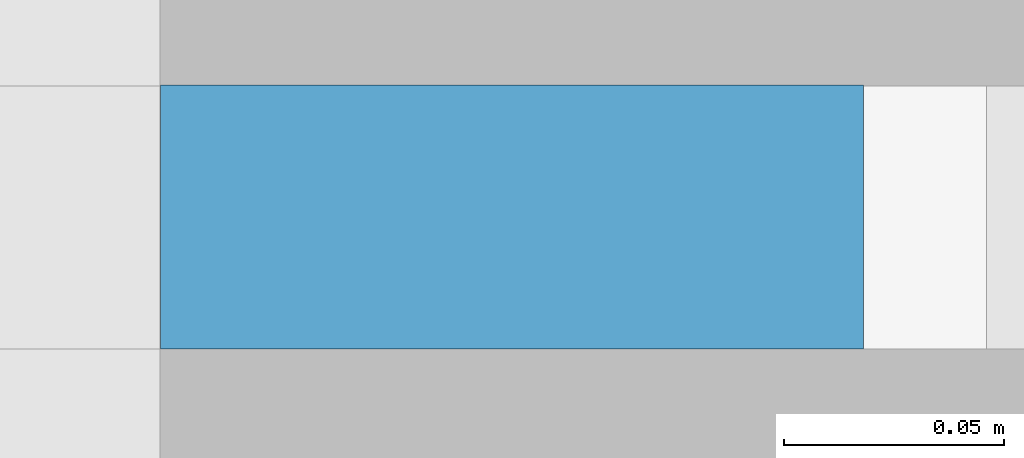
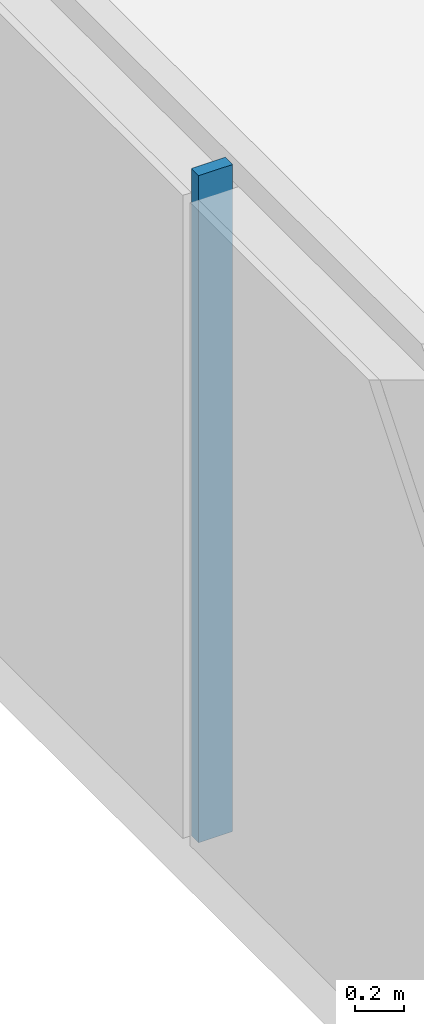
# One storey, part 4 of 31: 1 member, 1 element without a shape of its own.
"""IFC4 building model written with IfcOpenShell, lengths in metres."""

import ifcopenshell
import ifcopenshell.guid

model = None  # the IFC model being written
_history = None  # IfcOwnerHistory: only IFC2X3 demands one
_inside = {}  # id of a spatial element -> (the spatial element, [elements in it])
_under = {}  # id of a project, library or spatial element -> (it, [spatial elements below it])
_declared = {}  # id of a project -> (the project, [libraries it declares])
_typed = {}  # id of a type object -> (the type object, [elements of that type])
_made_of = {}  # id of a material, layer set ... -> (it, [elements and type objects made of it])


def new_model(schema):
    """Start an empty IFC model of exactly this schema.

    Asked for "IFC4X3", IfcOpenShell would pick the latest addendum, in which some entities
    have other attributes; the version numbers below select the first issue.
    IFC2X3 requires an IfcOwnerHistory on every rooted entity: one is made here for all.
    """
    global model, _history
    if schema == "IFC4X3":
        model = ifcopenshell.file(schema_version=(4, 3, 0, 0))
    else:
        model = ifcopenshell.file(schema=schema)
    _inside.clear()
    _under.clear()
    _declared.clear()
    _typed.clear()
    _made_of.clear()
    _history = None
    if model.schema == "IFC2X3":
        org = make("IfcOrganization", Name="unknown")
        user = make(
            "IfcPersonAndOrganization",
            ThePerson=make("IfcPerson", FamilyName="unknown"),
            TheOrganization=org,
        )
        app = make(
            "IfcApplication",
            ApplicationDeveloper=org,
            Version="unknown",
            ApplicationFullName="unknown",
            ApplicationIdentifier="unknown",
        )
        _history = make(
            "IfcOwnerHistory",
            OwningUser=user,
            OwningApplication=app,
            ChangeAction="ADDED",
            CreationDate=0,
        )
    return model


def make(cls, **values):
    """One entity of the class cls with the attributes given. An attribute that is None is left unset."""
    return model.create_entity(
        cls, **{name: value for name, value in values.items() if value is not None}
    )


def rooted(cls, **values):
    """An entity with a GlobalId (a new one), such as an element, a storey or a relation."""
    return make(cls, GlobalId=ifcopenshell.guid.new(), OwnerHistory=_history, **values)


def si_unit(unit_type, name, prefix=None):
    """IfcSIUnit, for example si_unit("LENGTHUNIT", "METRE", prefix="MILLI")."""
    return make("IfcSIUnit", UnitType=unit_type, Prefix=prefix, Name=name)


def assignment(units):
    """IfcUnitAssignment: the units of a project."""
    return None if units is None else make("IfcUnitAssignment", Units=units)


def point(xyz):
    """IfcCartesianPoint."""
    return None if xyz is None else make("IfcCartesianPoint", Coordinates=xyz)


def direction(xyz):
    """IfcDirection."""
    return None if xyz is None else make("IfcDirection", DirectionRatios=xyz)


def frame(location, z_axis=None, x_axis=None):
    """IfcAxis2Placement3D, a coordinate frame: its origin and axes. An axis left out is left unset."""
    return make(
        "IfcAxis2Placement3D",
        Location=point(location),
        Axis=direction(z_axis),
        RefDirection=direction(x_axis),
    )


def frame_2d(location, x_axis=None):
    """IfcAxis2Placement2D, a coordinate frame in the plane: its origin and x axis."""
    return make(
        "IfcAxis2Placement2D", Location=point(location), RefDirection=direction(x_axis)
    )


def origin():
    """The frame at (0, 0, 0) with its axes left unset."""
    return frame((0.0, 0.0, 0.0))


def origin_2d():
    """The frame at (0, 0) in the plane with its x axis left unset."""
    return frame_2d((0.0, 0.0))


def place(relative_to, where):
    """IfcLocalPlacement: puts the frame where relative to a parent placement (None: the world)."""
    return make(
        "IfcLocalPlacement", PlacementRelTo=relative_to, RelativePlacement=where
    )


def context(
    kind, dimensions, precision=None, world=None, true_north=None, identifier=None
):
    """IfcGeometricRepresentationContext, for example the 3D "Model" context."""
    return make(
        "IfcGeometricRepresentationContext",
        ContextIdentifier=identifier,
        ContextType=kind,
        CoordinateSpaceDimension=dimensions,
        Precision=precision,
        WorldCoordinateSystem=world,
        TrueNorth=true_north,
    )


def subcontext(parent, identifier, kind, view, scale=None):
    """IfcGeometricRepresentationSubContext, for example "Body" below "Model"."""
    return make(
        "IfcGeometricRepresentationSubContext",
        ContextIdentifier=identifier,
        ContextType=kind,
        ParentContext=parent,
        TargetScale=scale,
        TargetView=view,
    )


def project(units=None, contexts=None):
    """IfcProject with its units and contexts."""
    return rooted(
        "IfcProject",
        Name="project",
        RepresentationContexts=contexts,
        UnitsInContext=assignment(units),
    )


def spatial(cls, under=None, at=None, **own):
    """A site, building, storey or space (cls), placed at a placement, below another one or the project."""
    s = rooted(cls, ObjectPlacement=at, **own)
    if under is not None:
        _under.setdefault(under.id(), (under, []))[1].append(s)
    return s


def profile(cls, at=None, kind="AREA", **sizes):
    """A parametric profile (cls). Its sizes go by their IFC names, for example OverallWidth=200.0."""
    return make(cls, ProfileType=kind, Position=at, **sizes)


def rectangle(**sizes):
    """IfcRectangleProfileDef."""
    return profile("IfcRectangleProfileDef", **sizes)


def extrude(swept, where, along, depth):
    """IfcExtrudedAreaSolid: the profile swept, set in the frame where, extruded along a direction by depth."""
    return make(
        "IfcExtrudedAreaSolid",
        SweptArea=swept,
        Position=where,
        ExtrudedDirection=direction(along),
        Depth=depth,
    )


def shape(context_of_items, identifier, shape_type, items):
    """IfcShapeRepresentation: the items that make up one representation, for example the "Body"."""
    return make(
        "IfcShapeRepresentation",
        ContextOfItems=context_of_items,
        RepresentationIdentifier=identifier,
        RepresentationType=shape_type,
        Items=items,
    )


def material(Name=None, Category=None):
    """IfcMaterial."""
    return make("IfcMaterial", Name=Name, Category=Category)


def material_profile(
    of_material, cross_section, Name=None, Category=None, Priority=None
):
    """IfcMaterialProfile: a cross section and its material."""
    return make(
        "IfcMaterialProfile",
        Name=Name,
        Material=of_material,
        Profile=cross_section,
        Priority=Priority,
        Category=Category,
    )


def profile_set(profiles, Name=None, composite=None):
    """IfcMaterialProfileSet."""
    return make(
        "IfcMaterialProfileSet",
        Name=Name,
        MaterialProfiles=profiles,
        CompositeProfile=composite,
    )


def made_of(thing, what):
    """Note that an element or type object is made of a material, layer set ...; save() writes the relation."""
    if what is not None:
        _made_of.setdefault(what.id(), (what, []))[1].append(thing)
    return thing


def type_object(cls, material=None, **own):
    """A type object (cls), such as IfcWallType, which elements share."""
    return made_of(rooted(cls, **own), material)


def element(
    cls,
    number,
    at=None,
    inside=None,
    cuts=None,
    type_object=None,
    material=None,
    context=None,
    identifier="Body",
    shape_type=None,
    held_by="IfcProductDefinitionShape",
    body=None,
    shapes=None,
    **own,
):
    """One element of the class cls, such as IfcWall. Its Tag is "e" and its number.

    at: its placement. inside: the storey or other place that contains it. cuts: it is an
    opening in that element (IfcRelVoidsElement). A single representation is given by context,
    identifier, shape_type and body (its items); several are given by shapes. held_by: the class
    of the entity that holds the representations. save() writes the other relations.
    """
    e = rooted(cls, Tag="e%d" % number, ObjectPlacement=at, **own)
    if body is not None:
        shapes = [shape(context, identifier, shape_type, body)]
    if shapes is not None:
        e.Representation = make(held_by, Representations=shapes)
    if inside is not None:
        _inside.setdefault(inside.id(), (inside, []))[1].append(e)
    if cuts is not None:
        rooted(
            "IfcRelVoidsElement", RelatingBuildingElement=cuts, RelatedOpeningElement=e
        )
    if type_object is not None:
        _typed.setdefault(type_object.id(), (type_object, []))[1].append(e)
    return made_of(e, material)


def aggregate(whole, parts):
    """IfcRelAggregates: a whole, such as a stair, and the parts it consists of."""
    return rooted("IfcRelAggregates", RelatingObject=whole, RelatedObjects=parts)


def save(model, path):
    """Write the relations noted so far, then the file.

    IfcRelAggregates (storeys below a building ...), IfcRelContainedInSpatialStructure (elements
    in a storey), IfcRelDefinesByType, IfcRelAssociatesMaterial and IfcRelDeclares: one each for
    every whole, place, type object, material and project.
    """
    for whole, parts in _under.values():
        aggregate(whole, parts)
    for where, things in _inside.values():
        rooted(
            "IfcRelContainedInSpatialStructure",
            RelatedElements=things,
            RelatingStructure=where,
        )
    for kind, things in _typed.values():
        rooted("IfcRelDefinesByType", RelatedObjects=things, RelatingType=kind)
    for what, things in _made_of.values():
        rooted("IfcRelAssociatesMaterial", RelatedObjects=things, RelatingMaterial=what)
    for by, libraries in _declared.values():
        rooted("IfcRelDeclares", RelatingContext=by, RelatedDefinitions=libraries)
    model.write(path)


model = new_model("IFC4")

# Units and contexts
model_context = context("Model", 3, precision=1e-05, world=origin(), true_north=direction((0.0, 1.0)))
body_context = subcontext(model_context, "Body", "Model", "MODEL_VIEW")
ifc_project = project(units=[si_unit("LENGTHUNIT", "METRE"), si_unit("AREAUNIT", "SQUARE_METRE"), si_unit("VOLUMEUNIT", "CUBIC_METRE"), si_unit("PLANEANGLEUNIT", "RADIAN"), si_unit("MASSUNIT", "GRAM", prefix="KILO")], contexts=[model_context])

# Site, building, storey
site_placement = place(None, origin())
site = spatial("IfcSite", under=ifc_project, at=site_placement, CompositionType="ELEMENT")
building_placement = place(site_placement, origin())
building = spatial("IfcBuilding", under=site, at=building_placement, Name="Saffron Gate Tower", CompositionType="ELEMENT")
storey_placement = place(building_placement, frame((0.0, 0.0, 205.5)))
storey = spatial("IfcBuildingStorey", under=building, at=storey_placement, Name="L49", CompositionType="ELEMENT", Elevation=205.5)

# Curtain wall, member
ifc_material = material(Name="Aluminium, bronze anodised", Category="aluminium")
curtain_wall_type = type_object("IfcCurtainWallType", Name="CWS2 curtain wall side facades", PredefinedType="NOTDEFINED", material=ifc_material)
curtain_wall_placement = place(storey_placement, origin())
curtain_wall = element("IfcCurtainWall", 1, at=curtain_wall_placement, inside=storey, type_object=curtain_wall_type, Name="CWS2 run 10", PredefinedType="NOTDEFINED")
ifc_material_profile = material_profile(ifc_material, rectangle(XDim=0.159912109375, YDim=0.06005859375, at=origin_2d()))
ifc_profile_set = profile_set([ifc_material_profile], Name="Aluminium, bronze anodised")
member_type = type_object("IfcMemberType", Name="CWS2 mullion 60x160", PredefinedType="MULLION", material=ifc_profile_set)
member_placement = place(storey_placement, frame((48.080078125, 48.60009765625, 0.0), z_axis=(0.0, 0.0, 1.0), x_axis=(1.0, 0.0, 0.0)))
member = element("IfcMember", 2, at=member_placement, type_object=member_type, Name="CWS2 mullion 4", PredefinedType="MULLION", context=body_context, shape_type="SweptSolid", body=[
    extrude(rectangle(XDim=0.159912109375, YDim=0.06005859375, at=origin_2d()), origin(), (0.0, 0.0, 1.0), 3.320068359375),
])
aggregate(curtain_wall, [member])

save(model, "model.ifc")
